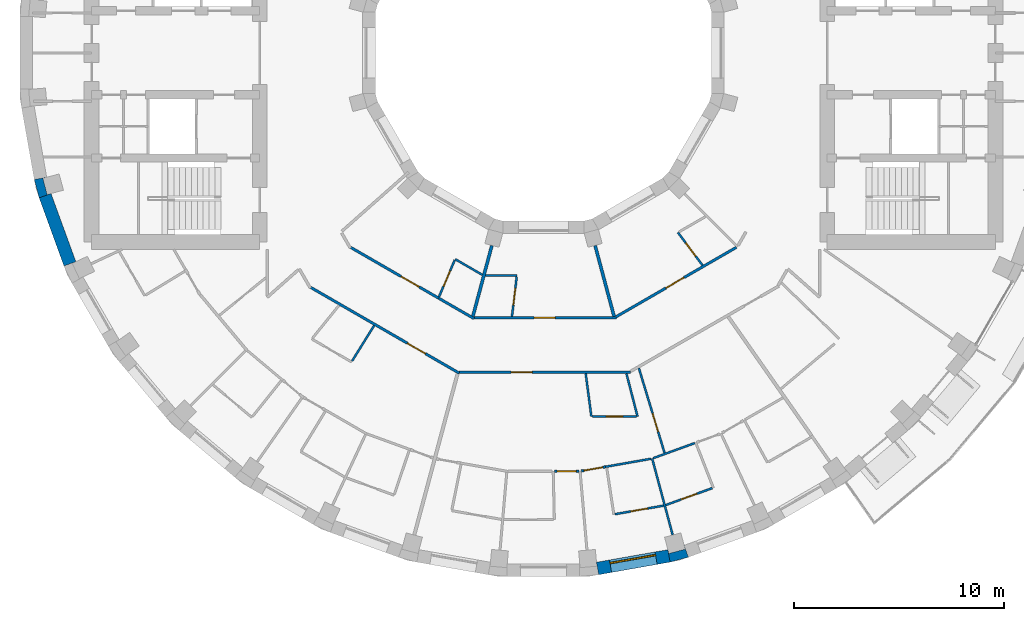
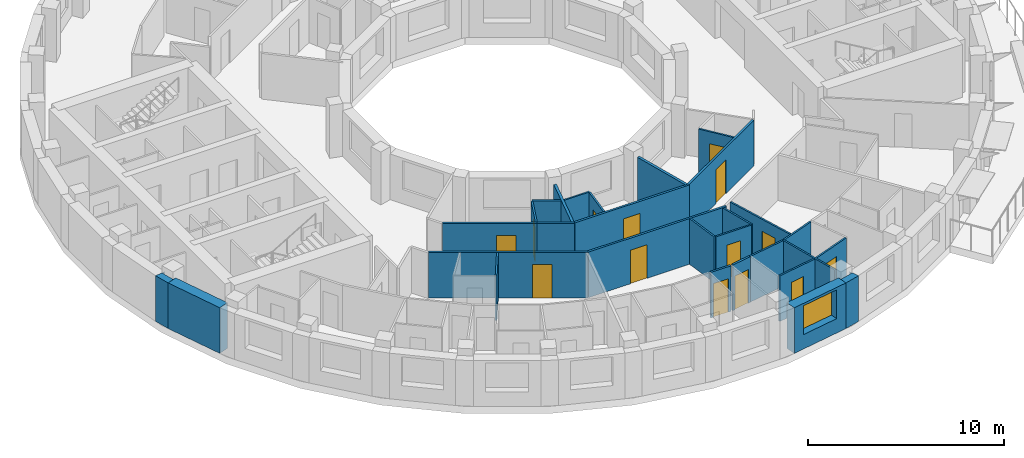
# One storey, part 5 of 14: 29 walls, 14 doors, 1 window, 15 openings.
"""IFC4 building model written with IfcOpenShell, lengths in metres."""

from ifc_helpers import new_model, si_unit, direction, frame, frame_2d, origin, place, context, subcontext, project, spatial, polyline, rectangle, outline, extrude, material, layer, layer_set, type_object, element, fill, save


model = new_model("IFC4")

# Units and contexts
model_context = context("Model", 3, precision=1e-05, world=origin(), true_north=direction((0.0, 1.0)))
body_context = subcontext(model_context, "Body", "Model", "MODEL_VIEW")
ifc_project = project(units=[si_unit("LENGTHUNIT", "METRE"), si_unit("AREAUNIT", "SQUARE_METRE"), si_unit("VOLUMEUNIT", "CUBIC_METRE"), si_unit("PLANEANGLEUNIT", "RADIAN"), si_unit("MASSUNIT", "GRAM", prefix="KILO")], contexts=[model_context])

# Site, building, storey
site_placement = place(None, origin())
site = spatial("IfcSite", under=ifc_project, at=site_placement, CompositionType="ELEMENT")
building_placement = place(site_placement, origin())
building = spatial("IfcBuilding", under=site, at=building_placement, Name="Saqina Gate Tower", CompositionType="ELEMENT")
storey_placement = place(building_placement, frame((0.0, 0.0, 170.699951171875)))
storey = spatial("IfcBuildingStorey", under=building, at=storey_placement, Name="L48", CompositionType="ELEMENT", Elevation=170.699951171875)

# Walls
ifc_material_1 = material(Name="Brick masonry (buff)", Category="masonry")
wall_type_1 = type_object("IfcWallType", Name="BRICK PIER COPING BUFF", PredefinedType="SOLIDWALL", material=ifc_material_1)
wall_1_placement = place(storey_placement, origin())
element("IfcWall", 1, at=wall_1_placement, inside=storey, type_object=wall_type_1, Name="Pier cap L48 column 20", PredefinedType="SOLIDWALL", context=body_context, shape_type="SweptSolid", body=[
    extrude(outline(polyline([(-24.22705078125, -6.0234375), (-23.992919921875, -6.897216796875), (-23.428955078125, -6.69189453125), (-23.610107421875, -6.740478515625), (-23.81689453125, -5.967529296875), (-23.635986328125, -5.919189453125), (-24.22705078125, -6.0234375)])), origin(), (0.0, 0.0, 1.0), 2.85009765625),
])
wall_2_placement = place(storey_placement, origin())
element("IfcWall", 2, at=wall_2_placement, inside=storey, type_object=wall_type_1, Name="Pier cap L48 column 29", PredefinedType="SOLIDWALL", context=body_context, shape_type="SweptSolid", body=[
    extrude(outline(polyline([(6.0234375, -24.22705078125), (6.897216796875, -23.992919921875), (6.69189453125, -23.428955078125), (6.740478515625, -23.610107421875), (5.967529296875, -23.81689453125), (5.919189453125, -23.635986328125), (6.0234375, -24.22705078125)])), origin(), (0.0, 0.0, 1.0), 2.85009765625),
])

# Wall, opening, window
ifc_material_2 = material(Name="Brick masonry (buff)", Category="masonry")
ifc_layer_1 = layer(ifc_material_2, 0.60009765625)
ifc_layer_set_1 = layer_set([ifc_layer_1], Name="FW-BRICK-BUFF")
wall_type_2 = type_object("IfcWallType", Name="FW-BRICK-BUFF", PredefinedType="SOLIDWALL", material=ifc_layer_set_1)
wall_3_placement = place(storey_placement, frame((2.573974609375, -24.530517578125, 0.0), z_axis=(0.0, 0.0, 1.0), x_axis=(0.984814892183, 0.173607684551, 0.0)))
wall_3 = element("IfcWall", 3, at=wall_3_placement, inside=storey, type_object=wall_type_2, Name="Facade wall L48 facet 28", PredefinedType="SOLIDWALL", context=body_context, shape_type="SweptSolid", body=[
    extrude(rectangle(XDim=3.44970703125, YDim=0.60009765625, at=frame_2d((1.724853515625, 0.0))), origin(), (0.0, 0.0, 1.0), 2.85009765625),
])
opening_1_placement = place(wall_3_placement, frame((0.625, 0.0, 0.89990234375)))
opening_1 = element("IfcOpeningElement", 4, at=opening_1_placement, cuts=wall_3, Name="Opening G14-W21", PredefinedType="OPENING", context=body_context, shape_type="SweptSolid", body=[
    extrude(rectangle(XDim=2.199951171875, YDim=1.800048828125, at=frame_2d((1.10009765625, 0.89990234375))), frame((0.0, 0.31201171875, 0.0), z_axis=(0.0, -1.0, 0.0), x_axis=(1.0, 0.0, 0.0)), (0.0, 0.0, 1.0), 0.6240234375),
])
ifc_material_3 = material(Name="Aluminium glazing", Category="aluminium")
window_type = type_object("IfcWindowType", Name="WN-C", PartitioningType="SINGLE_PANEL", PredefinedType="WINDOW", material=ifc_material_3)
window_placement = place(opening_1_placement, origin())
window = element("IfcWindow", 5, at=window_placement, inside=storey, type_object=window_type, Name="Window L48 facet 28", OverallHeight=1.800048828125, OverallWidth=2.199951171875, PartitioningType="SINGLE_PANEL", PredefinedType="WINDOW", context=body_context, shape_type="SweptSolid", body=[
    extrude(rectangle(XDim=2.199951171875, YDim=1.800048828125, at=frame_2d((1.10009765625, 0.89990234375))), frame((0.0, 0.179931640625, 0.0), z_axis=(0.0, -1.0, 0.0), x_axis=(1.0, 0.0, 0.0)), (0.0, 0.0, 1.0), 0.06005859375),
])
fill(opening_1, window)

# Walls
ifc_material_4 = material(Name="Glazed ceramic tile (white)", Category="ceramic")
ifc_layer_2 = layer(ifc_material_4, 0.60009765625)
ifc_layer_set_2 = layer_set([ifc_layer_2], Name="FW-TILE-WH")
wall_type_3 = type_object("IfcWallType", Name="FW-TILE-WH", PredefinedType="SOLIDWALL", material=ifc_layer_set_2)
wall_4_placement = place(storey_placement, frame((-23.7109375, -6.79443359375, 0.0), z_axis=(0.0, 0.0, 1.0), x_axis=(0.342032843455, -0.93968799822, 0.0)))
element("IfcWall", 6, at=wall_4_placement, inside=storey, type_object=wall_type_3, Name="Facade wall L48 facet 20", PredefinedType="SOLIDWALL", context=body_context, shape_type="SweptSolid", body=[
    extrude(rectangle(XDim=3.44970703125, YDim=0.60009765625, at=frame_2d((1.724853515625, 0.0))), origin(), (0.0, 0.0, 1.0), 2.85009765625),
])
ifc_material_5 = material(Name="Gypsum board on steel studs, 100 mm", Category="steel")
ifc_layer_3 = layer(ifc_material_5, 0.10009765625)
ifc_layer_set_3 = layer_set([ifc_layer_3], Name="PARTITION 100")
wall_type_4 = type_object("IfcWallType", Name="PARTITION 100", PredefinedType="PARTITIONING", material=ifc_layer_set_3)
wall_5_placement = place(storey_placement, frame((2.00927734375, -15.261962890625, 0.0), z_axis=(0.0, 0.0, 1.0), x_axis=(0.130755571898, -0.991414635971, 0.0)))
element("IfcWall", 7, at=wall_5_placement, inside=storey, type_object=wall_type_4, Name="PARTITION PW3-07", PredefinedType="PARTITIONING", context=body_context, shape_type="SweptSolid", body=[
    extrude(rectangle(XDim=2.0556640625, YDim=0.10009765625, at=frame_2d((1.02783203125, 0.0))), origin(), (0.0, 0.0, 1.0), 2.85009765625),
])
wall_6_placement = place(storey_placement, frame((3.94775390625, -15.260498046875, 0.0), z_axis=(0.0, 0.0, 1.0), x_axis=(0.250326635419, -0.968161440876, 0.0)))
element("IfcWall", 8, at=wall_6_placement, inside=storey, type_object=wall_type_4, Name="PARTITION PW3-11", PredefinedType="PARTITIONING", context=body_context, shape_type="SweptSolid", body=[
    extrude(rectangle(XDim=2.106689453125, YDim=0.10009765625, at=frame_2d((1.05322265625, 0.0))), origin(), (0.0, 0.0, 1.0), 2.85009765625),
])
wall_7_placement = place(storey_placement, frame((5.1708984375, -19.300048828125, 0.0), z_axis=(0.0, 0.0, 1.0), x_axis=(0.259065026248, -0.965859882268, 0.0)))
element("IfcWall", 9, at=wall_7_placement, inside=storey, type_object=wall_type_4, Name="PARTITION PW3-12", PredefinedType="PARTITIONING", context=body_context, shape_type="SweptSolid", body=[
    extrude(rectangle(XDim=3.75927734375, YDim=0.10009765625, at=frame_2d((1.879638671875, 0.0))), origin(), (0.0, 0.0, 1.0), 2.85009765625),
])

# Wall, opening, door
wall_8_placement = place(storey_placement, frame((4.539306640625, -15.0009765625, 0.0), z_axis=(0.0, 0.0, 1.0), x_axis=(0.289622909768, -0.95714083088, 0.0)))
wall_8 = element("IfcWall", 10, at=wall_8_placement, inside=storey, type_object=wall_type_4, Name="PARTITION PW3-14", PredefinedType="PARTITIONING", context=body_context, shape_type="SweptSolid", body=[
    extrude(rectangle(XDim=4.212158203125, YDim=0.10009765625, at=frame_2d((2.10595703125, 0.0))), origin(), (0.0, 0.0, 1.0), 2.85009765625),
])
opening_2_placement = place(wall_8_placement, frame((2.25, 0.0, 0.0)))
opening_2 = element("IfcOpeningElement", 11, at=opening_2_placement, cuts=wall_8, Name="Opening G14-D54", PredefinedType="OPENING", context=body_context, shape_type="SweptSolid", body=[
    extrude(rectangle(XDim=0.89990234375, YDim=2.10009765625, at=frame_2d((0.449951171875, 1.050048828125))), frame((0.0, 0.06201171875, 0.0), z_axis=(0.0, -1.0, 0.0), x_axis=(1.0, 0.0, 0.0)), (0.0, 0.0, 1.0), 0.1240234375),
])
ifc_material_6 = material(Name="Timber door leaf, 900 mm", Category="wood")
door_type_1 = type_object("IfcDoorType", Name="DOOR 900 TIMBER", OperationType="SINGLE_SWING_LEFT", PredefinedType="DOOR", material=ifc_material_6)
door_1_placement = place(opening_2_placement, frame((0.89990234375, 0.0, 0.0), z_axis=(0.0, 0.0, 1.0), x_axis=(-1.0, 0.0, 0.0)))
door_1 = element("IfcDoor", 12, at=door_1_placement, inside=storey, type_object=door_type_1, Name="DOOR G14-D54", OperationType="SINGLE_SWING_RIGHT", OverallHeight=2.10009765625, OverallWidth=0.89990234375, PredefinedType="DOOR", context=body_context, shape_type="SweptSolid", body=[
    extrude(rectangle(XDim=0.89990234375, YDim=2.10009765625, at=frame_2d((0.449951171875, 1.050048828125))), frame((0.0, 0.02490234375, 0.0), z_axis=(0.0, -1.0, 0.0), x_axis=(1.0, 0.0, 0.0)), (0.0, 0.0, 1.0), 0.050048828125),
])
fill(opening_2, door_1)

wall_9_placement = place(storey_placement, frame((6.39697265625, -8.5458984375, 0.0), z_axis=(0.0, 0.0, 1.0), x_axis=(0.59915927021, -0.800629857626, 0.0)))
wall_9 = element("IfcWall", 13, at=wall_9_placement, inside=storey, type_object=wall_type_4, Name="PARTITION PW3-25", PredefinedType="PARTITIONING", context=body_context, shape_type="SweptSolid", body=[
    extrude(rectangle(XDim=1.9521484375, YDim=0.10009765625, at=frame_2d((0.97607421875, 0.0))), origin(), (0.0, 0.0, 1.0), 2.85009765625),
])
opening_3_placement = place(wall_9_placement, frame((0.607421875, 0.0, 0.0)))
opening_3 = element("IfcOpeningElement", 14, at=opening_3_placement, cuts=wall_9, Name="Opening G14-D60", PredefinedType="OPENING", context=body_context, shape_type="SweptSolid", body=[
    extrude(rectangle(XDim=0.800048828125, YDim=2.10009765625, at=frame_2d((0.39990234375, 1.050048828125))), frame((0.0, 0.06201171875, 0.0), z_axis=(0.0, -1.0, 0.0), x_axis=(1.0, 0.0, 0.0)), (0.0, 0.0, 1.0), 0.1240234375),
])
ifc_material_7 = material(Name="Timber door leaf, 800 mm", Category="wood")
door_type_2 = type_object("IfcDoorType", Name="DOOR 800 TIMBER", OperationType="SINGLE_SWING_LEFT", PredefinedType="DOOR", material=ifc_material_7)
door_2_placement = place(opening_3_placement, frame((0.800048828125, 0.0, 0.0), z_axis=(0.0, 0.0, 1.0), x_axis=(-1.0, 0.0, 0.0)))
door_2 = element("IfcDoor", 15, at=door_2_placement, inside=storey, type_object=door_type_2, Name="DOOR G14-D60", OperationType="SINGLE_SWING_LEFT", OverallHeight=2.10009765625, OverallWidth=0.800048828125, PredefinedType="DOOR", context=body_context, shape_type="SweptSolid", body=[
    extrude(rectangle(XDim=0.800048828125, YDim=2.10009765625, at=frame_2d((0.39990234375, 1.050048828125))), frame((0.0, 0.02490234375, 0.0), z_axis=(0.0, -1.0, 0.0), x_axis=(1.0, 0.0, 0.0)), (0.0, 0.0, 1.0), 0.050048828125),
])
fill(opening_3, door_2)

# Wall
wall_10_placement = place(storey_placement, frame((-4.202880859375, -9.81298828125, 0.0), z_axis=(0.0, 0.0, 1.0), x_axis=(0.865968547448, -0.500098465136, 0.0)))
element("IfcWall", 16, at=wall_10_placement, inside=storey, type_object=wall_type_4, Name="PARTITION PW3-38", PredefinedType="PARTITIONING", context=body_context, shape_type="SweptSolid", body=[
    extrude(rectangle(XDim=1.498779296875, YDim=0.10009765625, at=frame_2d((0.74951171875, 0.0))), origin(), (0.0, 0.0, 1.0), 2.85009765625),
])

# Wall, opening, door
wall_11_placement = place(storey_placement, frame((2.327880859375, -17.300048828125, 0.0), z_axis=(0.0, 0.0, 1.0), x_axis=(1.0, 0.0, 0.0)))
wall_11 = element("IfcWall", 17, at=wall_11_placement, inside=storey, type_object=wall_type_4, Name="PARTITION PW3-52", PredefinedType="PARTITIONING", context=body_context, shape_type="SweptSolid", body=[
    extrude(rectangle(XDim=2.09716796875, YDim=0.10009765625, at=frame_2d((1.048583984375, 0.0))), origin(), (0.0, 0.0, 1.0), 2.85009765625),
])
opening_4_placement = place(wall_11_placement, frame((0.6484375, 0.0, 0.0)))
opening_4 = element("IfcOpeningElement", 18, at=opening_4_placement, cuts=wall_11, Name="Opening G14-D52", PredefinedType="OPENING", context=body_context, shape_type="SweptSolid", body=[
    extrude(rectangle(XDim=0.800048828125, YDim=2.10009765625, at=frame_2d((0.39990234375, 1.050048828125))), frame((0.0, 0.06201171875, 0.0), z_axis=(0.0, -1.0, 0.0), x_axis=(1.0, 0.0, 0.0)), (0.0, 0.0, 1.0), 0.1240234375),
])
door_3_placement = place(opening_4_placement, frame((0.800048828125, 0.0, 0.0), z_axis=(0.0, 0.0, 1.0), x_axis=(-1.0, 0.0, 0.0)))
door_3 = element("IfcDoor", 19, at=door_3_placement, inside=storey, type_object=door_type_2, Name="DOOR G14-D52", OperationType="SINGLE_SWING_LEFT", OverallHeight=2.10009765625, OverallWidth=0.800048828125, PredefinedType="DOOR", context=body_context, shape_type="SweptSolid", body=[
    extrude(rectangle(XDim=0.800048828125, YDim=2.10009765625, at=frame_2d((0.39990234375, 1.050048828125))), frame((0.0, 0.02490234375, 0.0), z_axis=(0.0, -1.0, 0.0), x_axis=(1.0, 0.0, 0.0)), (0.0, 0.0, 1.0), 0.050048828125),
])
fill(opening_4, door_3)

# Wall
wall_12_placement = place(storey_placement, frame((-2.764892578125, -10.60009765625, 0.0), z_axis=(0.0, 0.0, 1.0), x_axis=(1.0, 0.0, 0.0)))
element("IfcWall", 20, at=wall_12_placement, inside=storey, type_object=wall_type_4, Name="PARTITION PW3-53", PredefinedType="PARTITIONING", context=body_context, shape_type="SweptSolid", body=[
    extrude(rectangle(XDim=1.497802734375, YDim=0.10009765625, at=frame_2d((0.7490234375, 0.0))), origin(), (0.0, 0.0, 1.0), 2.85009765625),
])

# Wall, opening, door
wall_13_placement = place(storey_placement, frame((3.396240234375, -21.9482421875, 0.0), z_axis=(0.0, 0.0, 1.0), x_axis=(0.984809591131, 0.173637752855, 0.0)))
wall_13 = element("IfcWall", 21, at=wall_13_placement, inside=storey, type_object=wall_type_4, Name="PARTITION PW3-58", PredefinedType="PARTITIONING", context=body_context, shape_type="SweptSolid", body=[
    extrude(rectangle(XDim=2.359375, YDim=0.10009765625, at=frame_2d((1.1796875, 0.0))), origin(), (0.0, 0.0, 1.0), 2.85009765625),
])
opening_5_placement = place(wall_13_placement, frame((0.77978515625, 0.0, 0.0)))
opening_5 = element("IfcOpeningElement", 22, at=opening_5_placement, cuts=wall_13, Name="Opening G14-D53", PredefinedType="OPENING", context=body_context, shape_type="SweptSolid", body=[
    extrude(rectangle(XDim=0.800048828125, YDim=2.10009765625, at=frame_2d((0.39990234375, 1.050048828125))), frame((0.0, 0.06201171875, 0.0), z_axis=(0.0, -1.0, 0.0), x_axis=(1.0, 0.0, 0.0)), (0.0, 0.0, 1.0), 0.1240234375),
])
door_4_placement = place(opening_5_placement, frame((0.800048828125, 0.0, 0.0), z_axis=(0.0, 0.0, 1.0), x_axis=(-1.0, 0.0, 0.0)))
door_4 = element("IfcDoor", 23, at=door_4_placement, inside=storey, type_object=door_type_2, Name="DOOR G14-D53", OperationType="SINGLE_SWING_LEFT", OverallHeight=2.10009765625, OverallWidth=0.800048828125, PredefinedType="DOOR", context=body_context, shape_type="SweptSolid", body=[
    extrude(rectangle(XDim=0.800048828125, YDim=2.10009765625, at=frame_2d((0.39990234375, 1.050048828125))), frame((0.0, 0.02490234375, 0.0), z_axis=(0.0, -1.0, 0.0), x_axis=(1.0, 0.0, 0.0)), (0.0, 0.0, 1.0), 0.050048828125),
])
fill(opening_5, door_4)

# Wall
wall_14_placement = place(storey_placement, frame((2.95068359375, -19.69189453125, 0.0), z_axis=(0.0, 0.0, 1.0), x_axis=(0.984828120468, 0.173532628446, 0.0)))
element("IfcWall", 24, at=wall_14_placement, inside=storey, type_object=wall_type_4, Name="PARTITION PW3-59", PredefinedType="PARTITIONING", context=body_context, shape_type="SweptSolid", body=[
    extrude(rectangle(XDim=2.20458984375, YDim=0.10009765625, at=frame_2d((1.102294921875, 0.0))), origin(), (0.0, 0.0, 1.0), 2.85009765625),
])

# Wall, opening, door
wall_15_placement = place(storey_placement, frame((5.81591796875, -21.512939453125, 0.0), z_axis=(0.0, 0.0, 1.0), x_axis=(0.939699727678, 0.342000616669, 0.0)))
wall_15 = element("IfcWall", 25, at=wall_15_placement, inside=storey, type_object=wall_type_4, Name="PARTITION PW3-62", PredefinedType="PARTITIONING", context=body_context, shape_type="SweptSolid", body=[
    extrude(rectangle(XDim=2.359375, YDim=0.10009765625, at=frame_2d((1.1796875, 0.0))), origin(), (0.0, 0.0, 1.0), 2.85009765625),
])
opening_6_placement = place(wall_15_placement, frame((0.779541015625, 0.0, 0.0)))
opening_6 = element("IfcOpeningElement", 26, at=opening_6_placement, cuts=wall_15, Name="Opening G14-D55", PredefinedType="OPENING", context=body_context, shape_type="SweptSolid", body=[
    extrude(rectangle(XDim=0.800048828125, YDim=2.10009765625, at=frame_2d((0.39990234375, 1.050048828125))), frame((0.0, 0.06201171875, 0.0), z_axis=(0.0, -1.0, 0.0), x_axis=(1.0, 0.0, 0.0)), (0.0, 0.0, 1.0), 0.1240234375),
])
door_5_placement = place(opening_6_placement, frame((0.800048828125, 0.0, 0.0), z_axis=(0.0, 0.0, 1.0), x_axis=(-1.0, 0.0, 0.0)))
door_5 = element("IfcDoor", 27, at=door_5_placement, inside=storey, type_object=door_type_2, Name="DOOR G14-D55", OperationType="SINGLE_SWING_RIGHT", OverallHeight=2.10009765625, OverallWidth=0.800048828125, PredefinedType="DOOR", context=body_context, shape_type="SweptSolid", body=[
    extrude(rectangle(XDim=0.800048828125, YDim=2.10009765625, at=frame_2d((0.39990234375, 1.050048828125))), frame((0.0, 0.02490234375, 0.0), z_axis=(0.0, -1.0, 0.0), x_axis=(1.0, 0.0, 0.0)), (0.0, 0.0, 1.0), 0.050048828125),
])
fill(opening_6, door_5)

# Walls
wall_16_placement = place(storey_placement, frame((5.218017578125, -19.282958984375, 0.0), z_axis=(0.0, 0.0, 1.0), x_axis=(0.939938953839, 0.341342588987, 0.0)))
element("IfcWall", 28, at=wall_16_placement, inside=storey, type_object=wall_type_4, Name="PARTITION PW3-63", PredefinedType="PARTITIONING", context=body_context, shape_type="SweptSolid", body=[
    extrude(rectangle(XDim=2.10498046875, YDim=0.10009765625, at=frame_2d((1.052490234375, 0.0))), origin(), (0.0, 0.0, 1.0), 2.85009765625),
])
wall_17_placement = place(storey_placement, frame((-9.106689453125, -14.66064453125, 0.0), z_axis=(0.0, 0.0, 1.0), x_axis=(0.528010719156, 0.849237705508, 0.0)))
element("IfcWall", 29, at=wall_17_placement, inside=storey, type_object=wall_type_4, Name="PARTITION PW3-90", PredefinedType="PARTITIONING", context=body_context, shape_type="SweptSolid", body=[
    extrude(rectangle(XDim=1.98828125, YDim=0.10009765625, at=frame_2d((0.994140625, 0.0))), origin(), (0.0, 0.0, 1.0), 2.85009765625),
])

# Wall, opening, door
wall_18_placement = place(storey_placement, frame((-4.971435546875, -11.607421875, 0.0), z_axis=(0.0, 0.0, 1.0), x_axis=(0.393655939277, 0.919257853636, 0.0)))
wall_18 = element("IfcWall", 30, at=wall_18_placement, inside=storey, type_object=wall_type_4, Name="PARTITION PW3-95", PredefinedType="PARTITIONING", context=body_context, shape_type="SweptSolid", body=[
    extrude(rectangle(XDim=1.902099609375, YDim=0.10009765625, at=frame_2d((0.951171875, 0.0))), origin(), (0.0, 0.0, 1.0), 2.85009765625),
])
opening_7_placement = place(wall_18_placement, frame((0.544677734375, 0.0, 0.0)))
opening_7 = element("IfcOpeningElement", 31, at=opening_7_placement, cuts=wall_18, Name="Opening G14-D41", PredefinedType="OPENING", context=body_context, shape_type="SweptSolid", body=[
    extrude(rectangle(XDim=0.800048828125, YDim=2.10009765625, at=frame_2d((0.39990234375, 1.050048828125))), frame((0.0, 0.06201171875, 0.0), z_axis=(0.0, -1.0, 0.0), x_axis=(1.0, 0.0, 0.0)), (0.0, 0.0, 1.0), 0.1240234375),
])
door_6_placement = place(opening_7_placement, origin())
door_6 = element("IfcDoor", 32, at=door_6_placement, inside=storey, type_object=door_type_2, Name="DOOR G14-D41", OperationType="SINGLE_SWING_LEFT", OverallHeight=2.10009765625, OverallWidth=0.800048828125, PredefinedType="DOOR", context=body_context, shape_type="SweptSolid", body=[
    extrude(rectangle(XDim=0.800048828125, YDim=2.10009765625, at=frame_2d((0.39990234375, 1.050048828125))), frame((0.0, 0.02490234375, 0.0), z_axis=(0.0, -1.0, 0.0), x_axis=(1.0, 0.0, 0.0)), (0.0, 0.0, 1.0), 0.050048828125),
])
fill(opening_7, door_6)

wall_19_placement = place(storey_placement, frame((-1.49853515625, -12.537841796875, 0.0), z_axis=(0.0, 0.0, 1.0), x_axis=(0.118628824783, 0.992938669773, 0.0)))
wall_19 = element("IfcWall", 33, at=wall_19_placement, inside=storey, type_object=wall_type_4, Name="PARTITION PW3-100", PredefinedType="PARTITIONING", context=body_context, shape_type="SweptSolid", body=[
    extrude(rectangle(XDim=1.901611328125, YDim=0.10009765625, at=frame_2d((0.95068359375, 0.0))), origin(), (0.0, 0.0, 1.0), 2.85009765625),
])
opening_8_placement = place(wall_19_placement, frame((0.544677734375, 0.0, 0.0)))
opening_8 = element("IfcOpeningElement", 34, at=opening_8_placement, cuts=wall_19, Name="Opening G14-D46", PredefinedType="OPENING", context=body_context, shape_type="SweptSolid", body=[
    extrude(rectangle(XDim=0.800048828125, YDim=2.10009765625, at=frame_2d((0.39990234375, 1.050048828125))), frame((0.0, 0.06201171875, 0.0), z_axis=(0.0, -1.0, 0.0), x_axis=(1.0, 0.0, 0.0)), (0.0, 0.0, 1.0), 0.1240234375),
])
door_7_placement = place(opening_8_placement, frame((0.800048828125, 0.0, 0.0), z_axis=(0.0, 0.0, 1.0), x_axis=(-1.0, 0.0, 0.0)))
door_7 = element("IfcDoor", 35, at=door_7_placement, inside=storey, type_object=door_type_2, Name="DOOR G14-D46", OperationType="SINGLE_SWING_RIGHT", OverallHeight=2.10009765625, OverallWidth=0.800048828125, PredefinedType="DOOR", context=body_context, shape_type="SweptSolid", body=[
    extrude(rectangle(XDim=0.800048828125, YDim=2.10009765625, at=frame_2d((0.39990234375, 1.050048828125))), frame((0.0, 0.02490234375, 0.0), z_axis=(0.0, -1.0, 0.0), x_axis=(1.0, 0.0, 0.0)), (0.0, 0.0, 1.0), 0.050048828125),
])
fill(opening_8, door_7)

ifc_material_8 = material(Name="Gypsum board on steel studs, 125 mm, fire rated", Category="steel")
ifc_layer_4 = layer(ifc_material_8, 0.125)
ifc_layer_set_4 = layer_set([ifc_layer_4], Name="PARTITION EI 30 125")
wall_type_5 = type_object("IfcWallType", Name="PARTITION EI 30 125", PredefinedType="PARTITIONING", material=ifc_layer_set_4)
wall_20_placement = place(storey_placement, frame((-11.07275390625, -11.158203125, 0.0), z_axis=(0.0, 0.0, 1.0), x_axis=(0.865999621737, -0.500044653157, 0.0)))
wall_20 = element("IfcWall", 36, at=wall_20_placement, inside=storey, type_object=wall_type_5, Name="PARTITION PW1-16", PredefinedType="PARTITIONING", context=body_context, shape_type="SweptSolid", body=[
    extrude(rectangle(XDim=8.155029296875, YDim=0.125, at=frame_2d((4.07763671875, 0.0))), origin(), (0.0, 0.0, 1.0), 2.85009765625),
])
opening_9_placement = place(wall_20_placement, frame((5.302001953125, 0.0, 0.0)))
opening_9 = element("IfcOpeningElement", 37, at=opening_9_placement, cuts=wall_20, Name="Opening G14-D40", PredefinedType="OPENING", context=body_context, shape_type="SweptSolid", body=[
    extrude(rectangle(XDim=1.0, YDim=2.10009765625, at=frame_2d((0.5, 1.050048828125))), frame((0.0, 0.074462890625, 0.0), z_axis=(0.0, -1.0, 0.0), x_axis=(1.0, 0.0, 0.0)), (0.0, 0.0, 1.0), 0.14892578125),
])
ifc_material_9 = material(Name="Fire door leaf EI 30, 1000 mm")
door_type_3 = type_object("IfcDoorType", Name="DOOR 1000 EI 30", OperationType="SINGLE_SWING_LEFT", PredefinedType="DOOR", material=ifc_material_9)
door_8_placement = place(opening_9_placement, frame((1.0, 0.0, 0.0), z_axis=(0.0, 0.0, 1.0), x_axis=(-1.0, 0.0, 0.0)))
door_8 = element("IfcDoor", 38, at=door_8_placement, inside=storey, type_object=door_type_3, Name="DOOR G14-D40", OperationType="SINGLE_SWING_LEFT", OverallHeight=2.10009765625, OverallWidth=1.0, PredefinedType="DOOR", context=body_context, shape_type="SweptSolid", body=[
    extrude(rectangle(XDim=1.0, YDim=2.10009765625, at=frame_2d((0.5, 1.050048828125))), frame((0.0, 0.02490234375, 0.0), z_axis=(0.0, -1.0, 0.0), x_axis=(1.0, 0.0, 0.0)), (0.0, 0.0, 1.0), 0.050048828125),
])
fill(opening_9, door_8)

wall_21_placement = place(storey_placement, frame((-9.169921875, -9.255126953125, 0.0), z_axis=(0.0, 0.0, 1.0), x_axis=(0.866034433151, -0.499984360352, 0.0)))
wall_21 = element("IfcWall", 39, at=wall_21_placement, inside=storey, type_object=wall_type_5, Name="PARTITION PW1-17", PredefinedType="PARTITIONING", context=body_context, shape_type="SweptSolid", body=[
    extrude(rectangle(XDim=4.841552734375, YDim=0.125, at=frame_2d((2.4208984375, 0.0))), origin(), (0.0, 0.0, 1.0), 2.85009765625),
])
opening_10_placement = place(wall_21_placement, frame((2.762939453125, 0.0, 0.0)))
opening_10 = element("IfcOpeningElement", 40, at=opening_10_placement, cuts=wall_21, Name="Opening G14-D38", PredefinedType="OPENING", context=body_context, shape_type="SweptSolid", body=[
    extrude(rectangle(XDim=1.0, YDim=2.10009765625, at=frame_2d((0.5, 1.050048828125))), frame((0.0, 0.074462890625, 0.0), z_axis=(0.0, -1.0, 0.0), x_axis=(1.0, 0.0, 0.0)), (0.0, 0.0, 1.0), 0.14892578125),
])
door_9_placement = place(opening_10_placement, origin())
door_9 = element("IfcDoor", 41, at=door_9_placement, inside=storey, type_object=door_type_3, Name="DOOR G14-D38", OperationType="SINGLE_SWING_RIGHT", OverallHeight=2.10009765625, OverallWidth=1.0, PredefinedType="DOOR", context=body_context, shape_type="SweptSolid", body=[
    extrude(rectangle(XDim=1.0, YDim=2.10009765625, at=frame_2d((0.5, 1.050048828125))), frame((0.0, 0.02490234375, 0.0), z_axis=(0.0, -1.0, 0.0), x_axis=(1.0, 0.0, 0.0)), (0.0, 0.0, 1.0), 0.050048828125),
])
fill(opening_10, door_9)

# Wall
wall_22_placement = place(storey_placement, frame((-4.97705078125, -11.67578125, 0.0), z_axis=(0.0, 0.0, 1.0), x_axis=(0.866083998124, -0.49989849789, 0.0)))
element("IfcWall", 42, at=wall_22_placement, inside=storey, type_object=wall_type_5, Name="PARTITION PW1-18", PredefinedType="PARTITIONING", context=body_context, shape_type="SweptSolid", body=[
    extrude(rectangle(XDim=1.9208984375, YDim=0.125, at=frame_2d((0.96044921875, 0.0))), origin(), (0.0, 0.0, 1.0), 2.85009765625),
])

# Wall, opening, door
wall_23_placement = place(storey_placement, frame((0.512939453125, -19.905029296875, 0.0), z_axis=(0.0, 0.0, 1.0), x_axis=(1.0, 0.0, 0.0)))
wall_23 = element("IfcWall", 43, at=wall_23_placement, inside=storey, type_object=wall_type_5, Name="PARTITION PW1-26", PredefinedType="PARTITIONING", context=body_context, shape_type="SweptSolid", body=[
    extrude(rectangle(XDim=1.177978515625, YDim=0.125, at=frame_2d((0.5888671875, 0.0))), origin(), (0.0, 0.0, 1.0), 2.85009765625),
])
opening_11_placement = place(wall_23_placement, frame((0.138916015625, 0.0, 0.0)))
opening_11 = element("IfcOpeningElement", 44, at=opening_11_placement, cuts=wall_23, Name="Opening G14-D50", PredefinedType="OPENING", context=body_context, shape_type="SweptSolid", body=[
    extrude(rectangle(XDim=0.89990234375, YDim=2.10009765625, at=frame_2d((0.449951171875, 1.050048828125))), frame((0.0, 0.074462890625, 0.0), z_axis=(0.0, -1.0, 0.0), x_axis=(1.0, 0.0, 0.0)), (0.0, 0.0, 1.0), 0.14892578125),
])
ifc_material_10 = material(Name="Fire door leaf EI 30, 900 mm")
door_type_4 = type_object("IfcDoorType", Name="DOOR 900 EI 30", OperationType="SINGLE_SWING_LEFT", PredefinedType="DOOR", material=ifc_material_10)
door_10_placement = place(opening_11_placement, origin())
door_10 = element("IfcDoor", 45, at=door_10_placement, inside=storey, type_object=door_type_4, Name="DOOR G14-D50", OperationType="SINGLE_SWING_RIGHT", OverallHeight=2.10009765625, OverallWidth=0.89990234375, PredefinedType="DOOR", context=body_context, shape_type="SweptSolid", body=[
    extrude(rectangle(XDim=0.89990234375, YDim=2.10009765625, at=frame_2d((0.449951171875, 1.050048828125))), frame((0.0, 0.02490234375, 0.0), z_axis=(0.0, -1.0, 0.0), x_axis=(1.0, 0.0, 0.0)), (0.0, 0.0, 1.0), 0.050048828125),
])
fill(opening_11, door_10)

wall_24_placement = place(storey_placement, frame((-4.010498046875, -15.199951171875, 0.0), z_axis=(0.0, 0.0, 1.0), x_axis=(1.0, 0.0, 0.0)))
wall_24 = element("IfcWall", 46, at=wall_24_placement, inside=storey, type_object=wall_type_5, Name="PARTITION PW1-27", PredefinedType="PARTITIONING", context=body_context, shape_type="SweptSolid", body=[
    extrude(rectangle(XDim=8.155517578125, YDim=0.125, at=frame_2d((4.07763671875, 0.0))), origin(), (0.0, 0.0, 1.0), 2.85009765625),
])
opening_12_placement = place(wall_24_placement, frame((2.474609375, 0.0, 0.0)))
opening_12 = element("IfcOpeningElement", 47, at=opening_12_placement, cuts=wall_24, Name="Opening G14-D47", PredefinedType="OPENING", context=body_context, shape_type="SweptSolid", body=[
    extrude(rectangle(XDim=1.0, YDim=2.10009765625, at=frame_2d((0.5, 1.050048828125))), frame((0.0, 0.074462890625, 0.0), z_axis=(0.0, -1.0, 0.0), x_axis=(1.0, 0.0, 0.0)), (0.0, 0.0, 1.0), 0.14892578125),
])
door_11_placement = place(opening_12_placement, frame((1.0, 0.0, 0.0), z_axis=(0.0, 0.0, 1.0), x_axis=(-1.0, 0.0, 0.0)))
door_11 = element("IfcDoor", 48, at=door_11_placement, inside=storey, type_object=door_type_3, Name="DOOR G14-D47", OperationType="SINGLE_SWING_RIGHT", OverallHeight=2.10009765625, OverallWidth=1.0, PredefinedType="DOOR", context=body_context, shape_type="SweptSolid", body=[
    extrude(rectangle(XDim=1.0, YDim=2.10009765625, at=frame_2d((0.5, 1.050048828125))), frame((0.0, 0.02490234375, 0.0), z_axis=(0.0, -1.0, 0.0), x_axis=(1.0, 0.0, 0.0)), (0.0, 0.0, 1.0), 0.050048828125),
])
fill(opening_12, door_11)

wall_25_placement = place(storey_placement, frame((-3.3134765625, -12.60009765625, 0.0), z_axis=(0.0, 0.0, 1.0), x_axis=(1.0, 0.0, 0.0)))
wall_25 = element("IfcWall", 49, at=wall_25_placement, inside=storey, type_object=wall_type_5, Name="PARTITION PW1-28", PredefinedType="PARTITIONING", context=body_context, shape_type="SweptSolid", body=[
    extrude(rectangle(XDim=6.776123046875, YDim=0.125, at=frame_2d((3.38818359375, 0.0))), origin(), (0.0, 0.0, 1.0), 2.85009765625),
])
opening_13_placement = place(wall_25_placement, frame((2.864013671875, 0.0, 0.0)))
opening_13 = element("IfcOpeningElement", 50, at=opening_13_placement, cuts=wall_25, Name="Opening G14-D49", PredefinedType="OPENING", context=body_context, shape_type="SweptSolid", body=[
    extrude(rectangle(XDim=1.0, YDim=2.10009765625, at=frame_2d((0.5, 1.050048828125))), frame((0.0, 0.074462890625, 0.0), z_axis=(0.0, -1.0, 0.0), x_axis=(1.0, 0.0, 0.0)), (0.0, 0.0, 1.0), 0.14892578125),
])
door_12_placement = place(opening_13_placement, origin())
door_12 = element("IfcDoor", 51, at=door_12_placement, inside=storey, type_object=door_type_3, Name="DOOR G14-D49", OperationType="SINGLE_SWING_LEFT", OverallHeight=2.10009765625, OverallWidth=1.0, PredefinedType="DOOR", context=body_context, shape_type="SweptSolid", body=[
    extrude(rectangle(XDim=1.0, YDim=2.10009765625, at=frame_2d((0.5, 1.050048828125))), frame((0.0, 0.02490234375, 0.0), z_axis=(0.0, -1.0, 0.0), x_axis=(1.0, 0.0, 0.0)), (0.0, 0.0, 1.0), 0.050048828125),
])
fill(opening_13, door_12)

wall_26_placement = place(storey_placement, frame((1.802490234375, -19.89404296875, 0.0), z_axis=(0.0, 0.0, 1.0), x_axis=(0.984853048851, 0.173391095992, 0.0)))
wall_26 = element("IfcWall", 52, at=wall_26_placement, inside=storey, type_object=wall_type_5, Name="PARTITION PW1-32", PredefinedType="PARTITIONING", context=body_context, shape_type="SweptSolid", body=[
    extrude(rectangle(XDim=1.165771484375, YDim=0.125, at=frame_2d((0.5830078125, 0.0))), origin(), (0.0, 0.0, 1.0), 2.85009765625),
])
opening_14_placement = place(wall_26_placement, frame((0.126708984375, 0.0, 0.0)))
opening_14 = element("IfcOpeningElement", 53, at=opening_14_placement, cuts=wall_26, Name="Opening G14-D51", PredefinedType="OPENING", context=body_context, shape_type="SweptSolid", body=[
    extrude(rectangle(XDim=0.89990234375, YDim=2.10009765625, at=frame_2d((0.449951171875, 1.050048828125))), frame((0.0, 0.074462890625, 0.0), z_axis=(0.0, -1.0, 0.0), x_axis=(1.0, 0.0, 0.0)), (0.0, 0.0, 1.0), 0.14892578125),
])
door_13_placement = place(opening_14_placement, origin())
door_13 = element("IfcDoor", 54, at=door_13_placement, inside=storey, type_object=door_type_4, Name="DOOR G14-D51", OperationType="SINGLE_SWING_LEFT", OverallHeight=2.10009765625, OverallWidth=0.89990234375, PredefinedType="DOOR", context=body_context, shape_type="SweptSolid", body=[
    extrude(rectangle(XDim=0.89990234375, YDim=2.10009765625, at=frame_2d((0.449951171875, 1.050048828125))), frame((0.0, 0.02490234375, 0.0), z_axis=(0.0, -1.0, 0.0), x_axis=(1.0, 0.0, 0.0)), (0.0, 0.0, 1.0), 0.050048828125),
])
fill(opening_14, door_13)

wall_27_placement = place(storey_placement, frame((3.44091796875, -12.5625, 0.0), z_axis=(0.0, 0.0, 1.0), x_axis=(0.866049406461, 0.49995842384, 0.0)))
wall_27 = element("IfcWall", 55, at=wall_27_placement, inside=storey, type_object=wall_type_5, Name="PARTITION PW1-38", PredefinedType="PARTITIONING", context=body_context, shape_type="SweptSolid", body=[
    extrude(rectangle(XDim=6.62744140625, YDim=0.125, at=frame_2d((3.313720703125, 0.0))), origin(), (0.0, 0.0, 1.0), 2.85009765625),
])
opening_15_placement = place(wall_27_placement, frame((2.75048828125, 0.0, 0.0)))
opening_15 = element("IfcOpeningElement", 56, at=opening_15_placement, cuts=wall_27, Name="Opening G14-D58", PredefinedType="OPENING", context=body_context, shape_type="SweptSolid", body=[
    extrude(rectangle(XDim=1.0, YDim=2.10009765625, at=frame_2d((0.5, 1.050048828125))), frame((0.0, 0.074462890625, 0.0), z_axis=(0.0, -1.0, 0.0), x_axis=(1.0, 0.0, 0.0)), (0.0, 0.0, 1.0), 0.14892578125),
])
door_14_placement = place(opening_15_placement, origin())
door_14 = element("IfcDoor", 57, at=door_14_placement, inside=storey, type_object=door_type_3, Name="DOOR G14-D58", OperationType="SINGLE_SWING_LEFT", OverallHeight=2.10009765625, OverallWidth=1.0, PredefinedType="DOOR", context=body_context, shape_type="SweptSolid", body=[
    extrude(rectangle(XDim=1.0, YDim=2.10009765625, at=frame_2d((0.5, 1.050048828125))), frame((0.0, 0.02490234375, 0.0), z_axis=(0.0, -1.0, 0.0), x_axis=(1.0, 0.0, 0.0)), (0.0, 0.0, 1.0), 0.050048828125),
])
fill(opening_15, door_14)

# Walls
ifc_material_11 = material(Name="Gypsum board on steel studs, 150 mm, fire rated", Category="steel")
ifc_layer_5 = layer(ifc_material_11, 0.14990234375)
ifc_layer_set_5 = layer_set([ifc_layer_5], Name="PARTITION EI 60 150")
wall_type_6 = type_object("IfcWallType", Name="PARTITION EI 60 150", PredefinedType="PARTITIONING", material=ifc_layer_set_5)
wall_28_placement = place(storey_placement, frame((2.45751953125, -9.16845703125, 0.0), z_axis=(0.0, 0.0, 1.0), x_axis=(0.258289617132, -0.966067530601, 0.0)))
element("IfcWall", 58, at=wall_28_placement, inside=storey, type_object=wall_type_6, Name="PARTITION PW2-02", PredefinedType="PARTITIONING", context=body_context, shape_type="SweptSolid", body=[
    extrude(rectangle(XDim=3.48974609375, YDim=0.14990234375, at=frame_2d((1.744873046875, 0.0))), origin(), (0.0, 0.0, 1.0), 2.85009765625),
])
wall_29_placement = place(storey_placement, frame((-3.359619140625, -12.539794921875, 0.0), z_axis=(0.0, 0.0, 1.0), x_axis=(0.258764058846, 0.965940558135, 0.0)))
element("IfcWall", 59, at=wall_29_placement, inside=storey, type_object=wall_type_6, Name="PARTITION PW2-06", PredefinedType="PARTITIONING", context=body_context, shape_type="SweptSolid", body=[
    extrude(rectangle(XDim=3.489990234375, YDim=0.14990234375, at=frame_2d((1.7451171875, 0.0))), origin(), (0.0, 0.0, 1.0), 2.85009765625),
])

save(model, "model.ifc")
